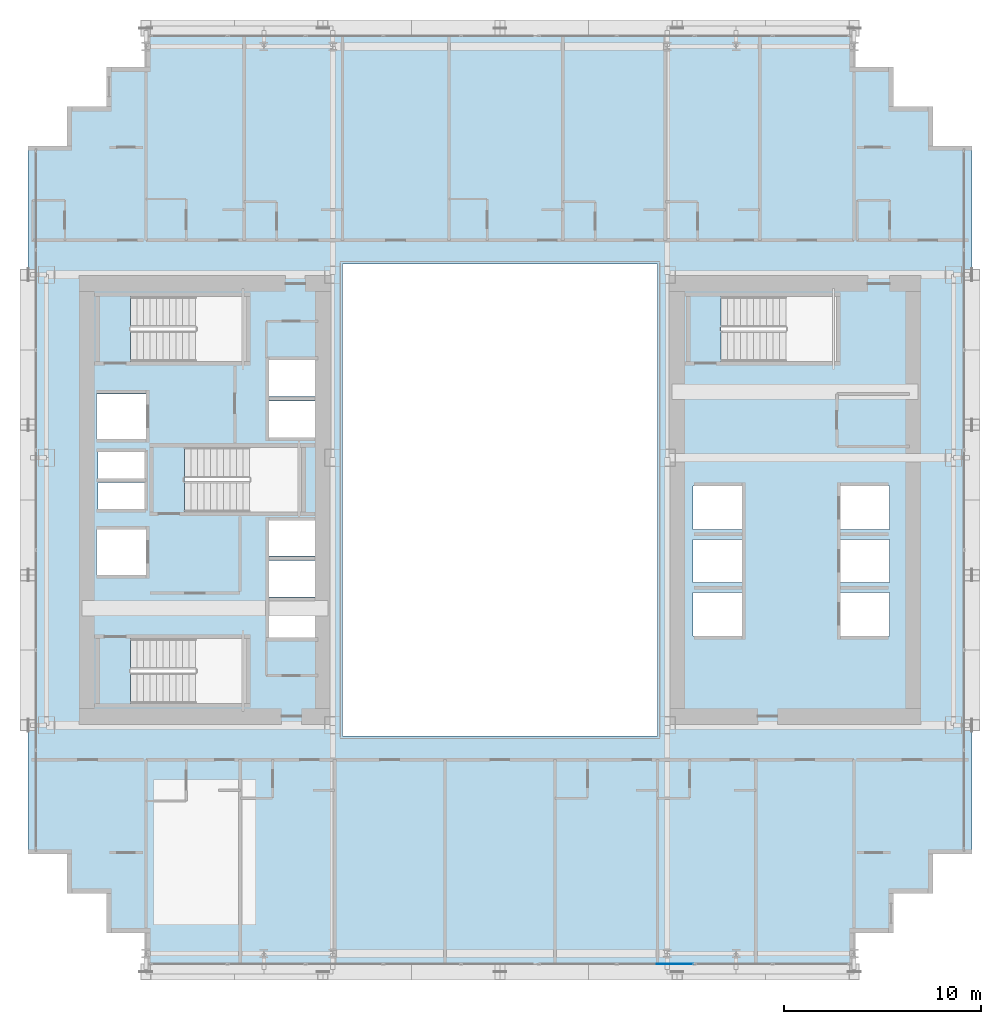
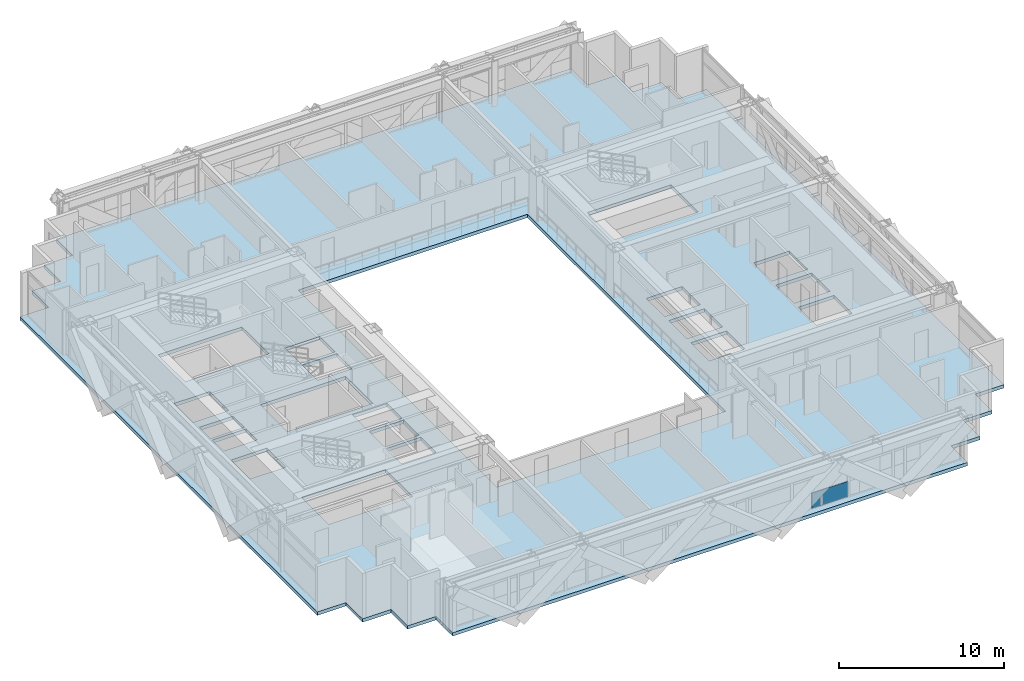
# One storey, part 25 of 38: 1 plate, 1 slab, 1 element without a shape of its own.
"""IFC4 building model written with IfcOpenShell, lengths in metres."""

from ifc_helpers import new_model, si_unit, direction, frame, origin, origin_2d, place, context, subcontext, project, spatial, polyline, rectangle, outline, extrude, source, transform, mapped, material, layer, layer_set, type_object, element, aggregate, save


model = new_model("IFC4")

# Units and contexts
model_context = context("Model", 3, precision=1e-05, world=origin(), true_north=direction((0.0, 1.0)))
body_context = subcontext(model_context, "Body", "Model", "MODEL_VIEW")
ifc_project = project(units=[si_unit("LENGTHUNIT", "METRE"), si_unit("AREAUNIT", "SQUARE_METRE"), si_unit("VOLUMEUNIT", "CUBIC_METRE"), si_unit("PLANEANGLEUNIT", "RADIAN"), si_unit("MASSUNIT", "GRAM", prefix="KILO")], contexts=[model_context])

# Site, building, storey
site_placement = place(None, origin())
site = spatial("IfcSite", under=ifc_project, at=site_placement, CompositionType="ELEMENT")
building_placement = place(site_placement, origin())
building = spatial("IfcBuilding", under=site, at=building_placement, Name="Ocotamira Hotel", CompositionType="ELEMENT")
storey_placement = place(building_placement, frame((0.0, 0.0, 74.39990234375)))
storey = spatial("IfcBuildingStorey", under=building, at=storey_placement, Name="L18", CompositionType="ELEMENT", Elevation=74.39990234375)

# Slab
ifc_material_1 = material(Name="Concrete C40/50", Category="concrete")
ifc_layer_1 = layer(ifc_material_1, 0.25)
ifc_layer_set_1 = layer_set([ifc_layer_1], Name="Concrete C40/50")
slab_type = type_object("IfcSlabType", Name="SLB-Z1-250", PredefinedType="FLOOR", material=ifc_layer_set_1)
slab_placement = place(storey_placement, frame((0.0, 0.0, -0.25)))
element("IfcSlab", 1, at=slab_placement, inside=storey, type_object=slab_type, Name="L18 Structural Floor Slab", PredefinedType="FLOOR", context=body_context, shape_type="SweptSolid", body=[
    extrude(outline(polyline([(14.0, 2.0), (50.0, 2.0), (50.0, 4.0), (52.0, 4.0), (52.0, 6.0), (54.0, 6.0), (54.0, 8.0), (56.0, 8.0), (56.0, 44.0), (54.0, 44.0), (54.0, 46.0), (52.0, 46.0), (52.0, 48.0), (50.0, 48.0), (50.0, 50.0), (14.0, 50.0), (14.0, 48.0), (12.0, 48.0), (12.0, 46.0), (10.0, 46.0), (10.0, 44.0), (8.0, 44.0), (8.0, 8.0), (10.0, 8.0), (10.0, 6.0), (12.0, 6.0), (12.0, 4.0), (14.0, 4.0), (14.0, 2.0)]), holes=[polyline([(24.0, 14.0), (40.0, 14.0), (40.0, 38.0), (24.0, 38.0), (24.0, 14.0)]), polyline([(13.22998046875, 15.669921875), (19.090087890625, 15.669921875), (19.090087890625, 18.949951171875), (13.22998046875, 18.949951171875), (13.22998046875, 15.669921875)]), polyline([(13.22998046875, 33.050048828125), (19.090087890625, 33.050048828125), (19.090087890625, 36.330078125), (13.22998046875, 36.330078125), (13.22998046875, 33.050048828125)]), polyline([(15.9599609375, 25.39990234375), (21.919921875, 25.39990234375), (21.919921875, 28.679931640625), (15.9599609375, 28.679931640625), (15.9599609375, 25.39990234375)]), polyline([(43.22998046875, 33.050048828125), (49.090087890625, 33.050048828125), (49.090087890625, 36.330078125), (43.22998046875, 36.330078125), (43.22998046875, 33.050048828125)]), polyline([(49.300048828125, 19.10009765625), (51.800048828125, 19.10009765625), (51.800048828125, 21.300048828125), (49.300048828125, 21.300048828125), (49.300048828125, 19.10009765625)]), polyline([(49.300048828125, 21.800048828125), (51.800048828125, 21.800048828125), (51.800048828125, 24.0), (49.300048828125, 24.0), (49.300048828125, 21.800048828125)]), polyline([(49.300048828125, 24.5), (51.800048828125, 24.5), (51.800048828125, 26.699951171875), (49.300048828125, 26.699951171875), (49.300048828125, 24.5)]), polyline([(41.800048828125, 19.10009765625), (44.300048828125, 19.10009765625), (44.300048828125, 21.300048828125), (41.800048828125, 21.300048828125), (41.800048828125, 19.10009765625)]), polyline([(41.800048828125, 21.800048828125), (44.300048828125, 21.800048828125), (44.300048828125, 24.0), (41.800048828125, 24.0), (41.800048828125, 21.800048828125)]), polyline([(41.800048828125, 24.5), (44.300048828125, 24.5), (44.300048828125, 26.699951171875), (41.800048828125, 26.699951171875), (41.800048828125, 24.5)]), polyline([(20.25, 19.0), (22.659912109375, 19.0), (22.659912109375, 20.85009765625), (20.25, 20.85009765625), (20.25, 19.0)]), polyline([(20.25, 21.080078125), (22.659912109375, 21.080078125), (22.659912109375, 22.929931640625), (20.25, 22.929931640625), (20.25, 21.080078125)]), polyline([(20.25, 23.159912109375), (22.659912109375, 23.159912109375), (22.659912109375, 24.9599609375), (20.25, 24.9599609375), (20.25, 23.159912109375)]), polyline([(20.25, 29.179931640625), (22.659912109375, 29.179931640625), (22.659912109375, 31.030029296875), (20.25, 31.030029296875), (20.25, 29.179931640625)]), polyline([(20.25, 31.260009765625), (22.659912109375, 31.260009765625), (22.659912109375, 33.110107421875), (20.25, 33.110107421875), (20.25, 31.260009765625)]), polyline([(11.5, 22.199951171875), (14.0, 22.199951171875), (14.0, 24.5), (11.5, 24.5), (11.5, 22.199951171875)]), polyline([(11.5, 29.10009765625), (14.0, 29.10009765625), (14.0, 31.39990234375), (11.5, 31.39990234375), (11.5, 29.10009765625)]), polyline([(11.580078125, 25.550048828125), (13.919921875, 25.550048828125), (13.919921875, 26.89990234375), (11.580078125, 26.89990234375), (11.580078125, 25.550048828125)]), polyline([(11.580078125, 27.10009765625), (13.919921875, 27.10009765625), (13.919921875, 28.449951171875), (11.580078125, 28.449951171875), (11.580078125, 27.10009765625)])]), origin(), (0.0, 0.0, 1.0), 0.25),
])

# Curtain wall, plate
ifc_material_2 = material(Name="Anodised pale-metal aluminium and solar glass", Category="aluminium")
ifc_layer_2 = layer(ifc_material_2, 0.179931640625)
ifc_layer_set_2 = layer_set([ifc_layer_2], Name="Anodised pale-metal aluminium and solar glass")
curtain_wall_type = type_object("IfcCurtainWallType", Name="CW-SYS2-Z1", PredefinedType="NOTDEFINED", material=ifc_layer_set_2)
curtain_wall_placement = place(storey_placement, origin())
curtain_wall = element("IfcCurtainWall", 2, at=curtain_wall_placement, inside=storey, type_object=curtain_wall_type, Name="L18 Curtain Wall CW-2 CW-L18-S1", PredefinedType="NOTDEFINED")
ifc_material_3 = material(Name="Double-silver low-E insulated solar glass", Category="glass")
ifc_layer_3 = layer(ifc_material_3, 0.031982421875)
ifc_layer_set_3 = layer_set([ifc_layer_3], Name="Double-silver low-E insulated solar glass")
plate_type = type_object("IfcPlateType", Name="CWP-VISION-32", PredefinedType="CURTAIN_PANEL", material=ifc_layer_set_3)
shared_shape = source(origin(), body_context, "Body", "SweptSolid", [
    extrude(rectangle(XDim=2.511474609375, YDim=0.031982421875, at=origin_2d()), origin(), (0.0, 0.0, 1.0), 1.118896484375),
])
plate_placement = place(storey_placement, frame((40.59326171875, 2.419921875, 0.0751953125), z_axis=(0.0, 0.0, 1.0), x_axis=(1.0, 0.0, 0.0)))
plate = element("IfcPlate", 3, at=plate_placement, type_object=plate_type, Name="CW-2 panel 7.1.1", PredefinedType="CURTAIN_PANEL", context=body_context, shape_type="MappedRepresentation", body=[
    mapped(shared_shape, transform((0.0, 0.0, 0.0), scale=1.0)),
])
aggregate(curtain_wall, [plate])

save(model, "model.ifc")
